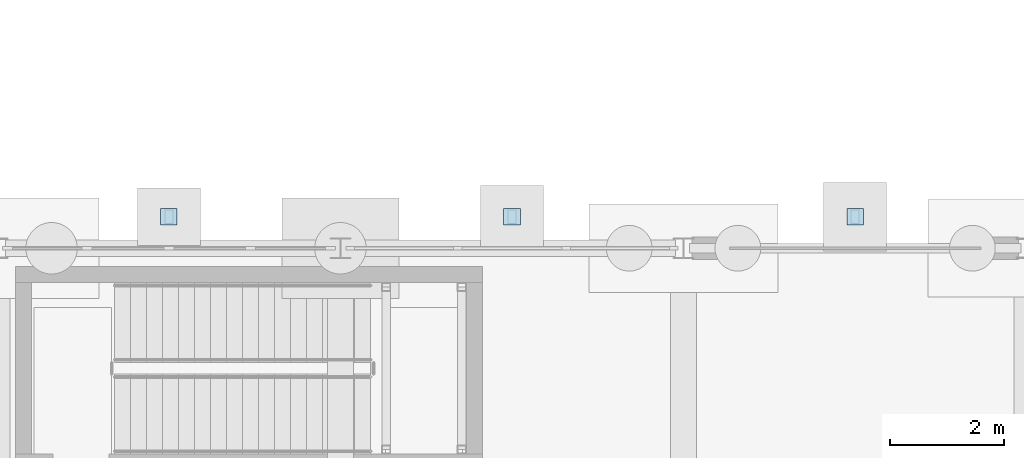
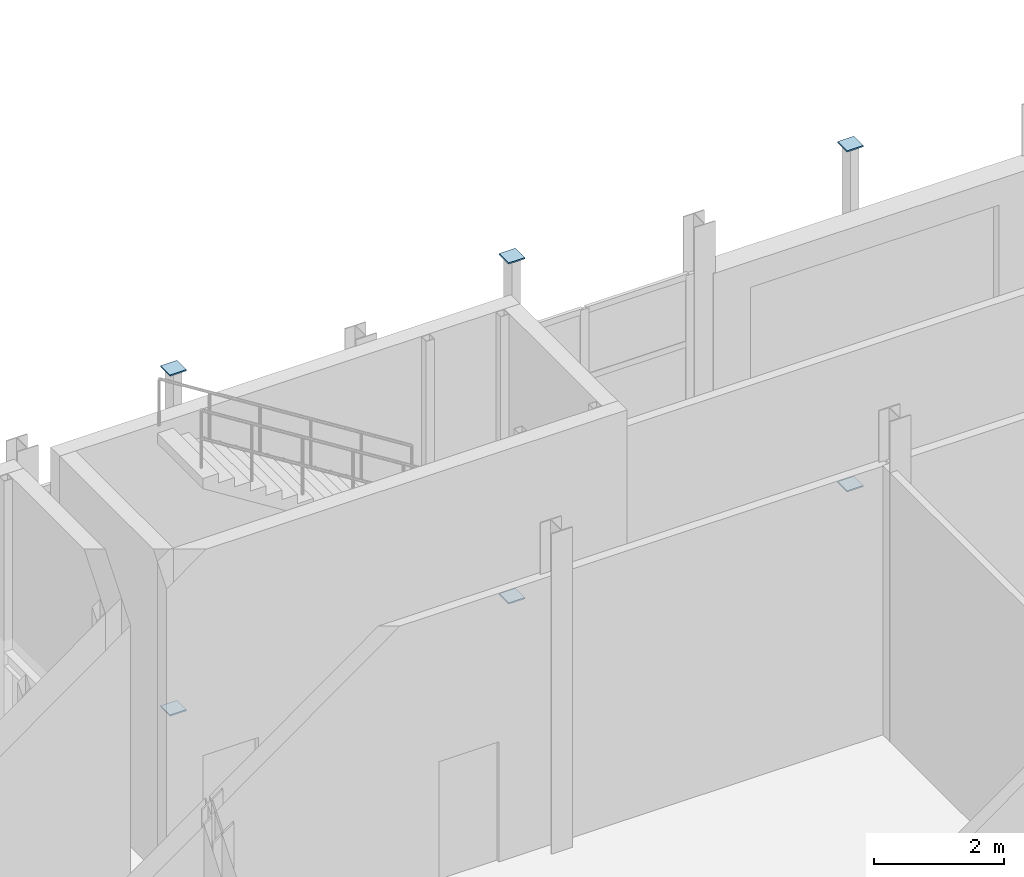
# One storey, part 84 of 120: 6 plates.
"""IFC4 building model written with IfcOpenShell, lengths in metres."""

from ifc_helpers import new_model, si_unit, direction, frame, origin, origin_2d, place, context, subcontext, project, spatial, rectangle, extrude, material, layer, layer_set, type_object, element, save


model = new_model("IFC4")

# Units and contexts
model_context = context("Model", 3, precision=1e-05, world=origin(), true_north=direction((0.0, 1.0)))
body_context = subcontext(model_context, "Body", "Model", "MODEL_VIEW")
ifc_project = project(units=[si_unit("LENGTHUNIT", "METRE"), si_unit("AREAUNIT", "SQUARE_METRE"), si_unit("VOLUMEUNIT", "CUBIC_METRE"), si_unit("PLANEANGLEUNIT", "RADIAN"), si_unit("MASSUNIT", "GRAM", prefix="KILO")], contexts=[model_context])

# Site, building, storey
site_placement = place(None, origin())
site = spatial("IfcSite", under=ifc_project, at=site_placement, CompositionType="ELEMENT")
building_placement = place(site_placement, origin())
building = spatial("IfcBuilding", under=site, at=building_placement, Name="Siltcreek Boulevard Central Fire Station", CompositionType="ELEMENT")
storey_placement = place(building_placement, origin())
storey = spatial("IfcBuildingStorey", under=building, at=storey_placement, Name="L01", CompositionType="ELEMENT", Elevation=0.0)

# Plates
ifc_material = material(Name="Structural steel ASTM A572 Gr50", Category="steel")
ifc_layer = layer(ifc_material, 0.02490234375, Name="Structural steel ASTM A572 Gr50")
ifc_layer_set = layer_set([ifc_layer], Name="Structural steel ASTM A572 Gr50")
plate_type = type_object("IfcPlateType", Name="PL_CAP25", PredefinedType="USERDEFINED", material=ifc_layer_set)
for number, where, z_axis, x_axis, name in (
    (1, (69.0, 54.550048828125, -0.373046875), (0.0, 0.0, 1.0), (1.0, 0.0, 0.0), "Terracotta pier pilaster column PL-07 sealed end cap 1"),
    (2, (69.0, 54.550048828125, 5.998046875), (0.0, 0.0, 1.0), (1.0, 0.0, 0.0), "Terracotta pier pilaster column PL-07 sealed end cap 2"),
    (3, (75.0, 54.550048828125, -0.373046875), (0.0, 0.0, 1.0), (1.0, 0.0, 0.0), "Terracotta pier pilaster column PL-08 sealed end cap 1"),
    (4, (75.0, 54.550048828125, 5.998046875), (0.0, 0.0, 1.0), (1.0, 0.0, 0.0), "Terracotta pier pilaster column PL-08 sealed end cap 2"),
    (5, (81.0, 54.550048828125, -0.373046875), (0.0, 0.0, 1.0), (1.0, 0.0, 0.0), "Terracotta pier pilaster column PL-09 sealed end cap 1"),
    (6, (81.0, 54.550048828125, 5.998046875), (0.0, 0.0, 1.0), (1.0, 0.0, 0.0), "Terracotta pier pilaster column PL-09 sealed end cap 2"),
):
    element("IfcPlate", number, at=place(storey_placement, frame(where, z_axis=z_axis, x_axis=x_axis)), inside=storey, type_object=plate_type, Name=name, ObjectType="END CAP", PredefinedType="USERDEFINED", context=body_context, shape_type="SweptSolid", body=[
        extrude(rectangle(XDim=0.2900390625, YDim=0.2900390625, at=origin_2d()), origin(), (0.0, 0.0, 1.0), 0.02490234375),
    ])

save(model, "model.ifc")
